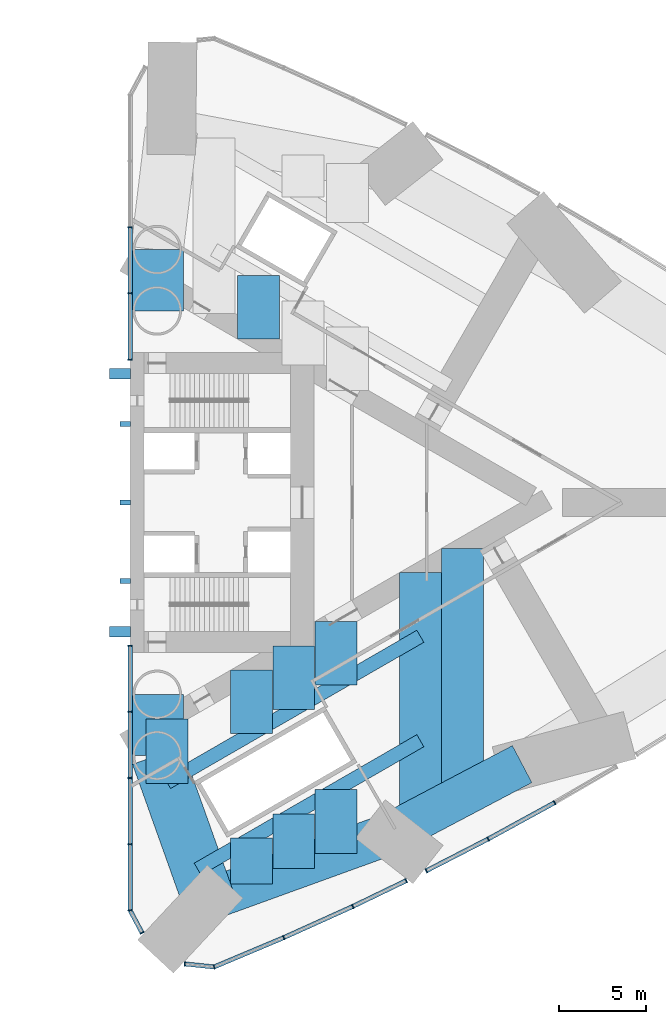
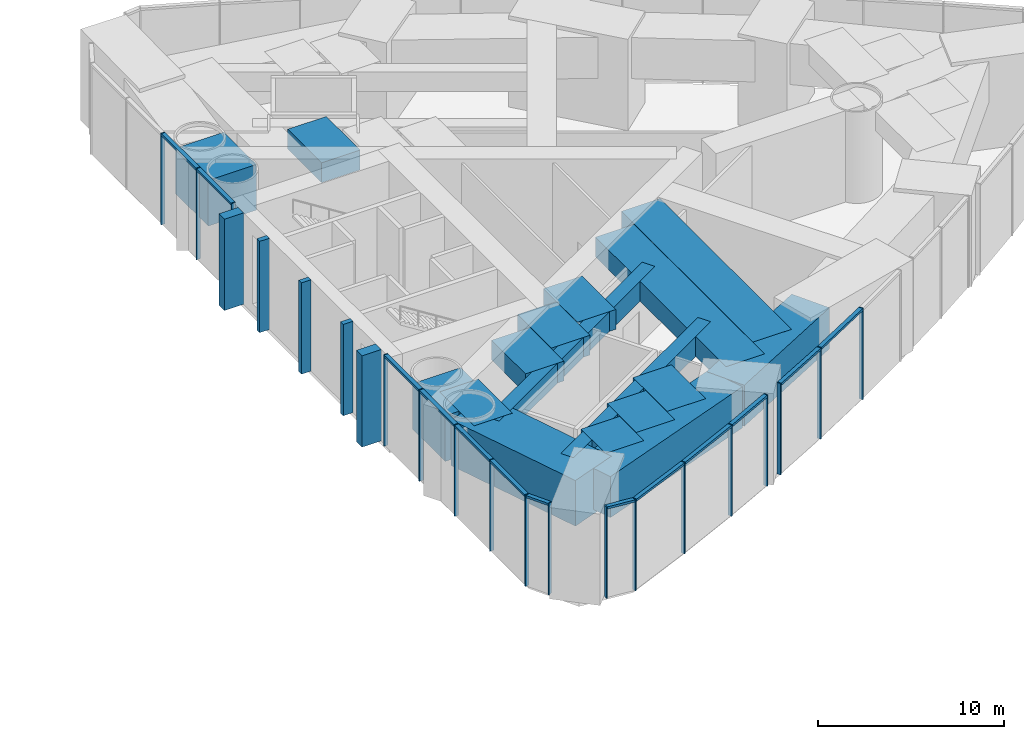
# One storey, part 7 of 18: 35 members, 17 beams, 4 elements without a shape of their own.
"""IFC4 building model written with IfcOpenShell, lengths in metres."""

from ifc_helpers import new_model, si_unit, direction, frame, origin, origin_2d, place, context, subcontext, project, spatial, rectangle, hollow_rectangle, extrude, material, material_profile, profile_set, type_object, element, aggregate, save


model = new_model("IFC4")

# Units and contexts
model_context = context("Model", 3, precision=1e-05, world=origin(), true_north=direction((0.0, 1.0)))
body_context = subcontext(model_context, "Body", "Model", "MODEL_VIEW")
ifc_project = project(units=[si_unit("LENGTHUNIT", "METRE"), si_unit("AREAUNIT", "SQUARE_METRE"), si_unit("VOLUMEUNIT", "CUBIC_METRE"), si_unit("PLANEANGLEUNIT", "RADIAN"), si_unit("MASSUNIT", "GRAM", prefix="KILO")], contexts=[model_context])

# Site, building, storey
site_placement = place(None, origin())
site = spatial("IfcSite", under=ifc_project, at=site_placement, CompositionType="ELEMENT")
building_placement = place(site_placement, origin())
building = spatial("IfcBuilding", under=site, at=building_placement, Name="Lancet Gate Hotel", CompositionType="ELEMENT")
storey_placement = place(building_placement, frame((0.0, 0.0, 81.0)))
storey = spatial("IfcBuildingStorey", under=building, at=storey_placement, Name="L21", CompositionType="ELEMENT", Elevation=81.0)

# Curtain wall, members
ifc_material_1 = material(Name="Aluminium curtain wall", Category="aluminium")
curtain_wall_type = type_object("IfcCurtainWallType", Name="Refuge storey louvred curtain wall", PredefinedType="USERDEFINED", material=ifc_material_1)
curtain_wall_1_placement = place(storey_placement, origin())
curtain_wall_1 = element("IfcCurtainWall", 1, at=curtain_wall_1_placement, inside=storey, type_object=curtain_wall_type, Name="T2 L21 curtain wall 1", ObjectType="LANTERN GLAZING", PredefinedType="USERDEFINED")
ifc_material_2 = material(Name="Aluminium mullion", Category="aluminium")
ifc_material_profile_1 = material_profile(ifc_material_2, rectangle(XDim=0.06494140625, YDim=0.25, at=origin_2d()), Name="MULLION 65x250")
ifc_profile_set_1 = profile_set([ifc_material_profile_1], Name="Aluminium mullion")
member_type_1 = type_object("IfcMemberType", Name="Aluminium mullion 65x250", PredefinedType="MULLION", material=ifc_profile_set_1)
member_1_placement = place(storey_placement, frame((27.5, -8.199951171875, 0.0), z_axis=(0.0, 0.0, 1.0), x_axis=(0.0, -1.0, 0.0)))
member_1 = element("IfcMember", 2, at=member_1_placement, type_object=member_type_1, Name="T2 L21 curtain wall 1 mullion 1", PredefinedType="MULLION", context=body_context, shape_type="SweptSolid", body=[
    extrude(rectangle(XDim=0.06494140625, YDim=0.25, at=origin_2d()), origin(), (0.0, 0.0, 1.0), 6.0),
])
member_2_placement = place(storey_placement, frame((27.5, -11.99609375, 0.0), z_axis=(0.0, 0.0, 1.0), x_axis=(0.0, -1.0, 0.0)))
member_2 = element("IfcMember", 3, at=member_2_placement, type_object=member_type_1, Name="T2 L21 curtain wall 1 mullion 2", PredefinedType="MULLION", context=body_context, shape_type="SweptSolid", body=[
    extrude(rectangle(XDim=0.06494140625, YDim=0.25, at=origin_2d()), origin(), (0.0, 0.0, 1.0), 6.0),
])
member_3_placement = place(storey_placement, frame((27.5, -15.79248046875, 0.0), z_axis=(0.0, 0.0, 1.0), x_axis=(0.0, -1.0, 0.0)))
member_3 = element("IfcMember", 4, at=member_3_placement, type_object=member_type_1, Name="T2 L21 curtain wall 1 mullion 3", PredefinedType="MULLION", context=body_context, shape_type="SweptSolid", body=[
    extrude(rectangle(XDim=0.06494140625, YDim=0.25, at=origin_2d()), origin(), (0.0, 0.0, 1.0), 6.0),
])
member_4_placement = place(storey_placement, frame((27.5, -19.588623046875, 0.0), z_axis=(0.0, 0.0, 1.0), x_axis=(0.0, -1.0, 0.0)))
member_4 = element("IfcMember", 5, at=member_4_placement, type_object=member_type_1, Name="T2 L21 curtain wall 1 mullion 4", PredefinedType="MULLION", context=body_context, shape_type="SweptSolid", body=[
    extrude(rectangle(XDim=0.06494140625, YDim=0.25, at=origin_2d()), origin(), (0.0, 0.0, 1.0), 6.0),
])
member_5_placement = place(storey_placement, frame((27.5, -23.384765625, 0.0), z_axis=(0.0, 0.0, 1.0), x_axis=(0.133367224339, -0.99106668972, 0.0)))
member_5 = element("IfcMember", 6, at=member_5_placement, type_object=member_type_1, Name="T2 L21 curtain wall 1 mullion 5", PredefinedType="MULLION", context=body_context, shape_type="SweptSolid", body=[
    extrude(rectangle(XDim=0.06494140625, YDim=0.25, at=origin_2d()), origin(), (0.0, 0.0, 1.0), 6.0),
])
member_6_placement = place(storey_placement, frame((28.18359375, -24.669189453125, 0.0), z_axis=(0.0, 0.0, 1.0), x_axis=(0.469897827284, -0.882720811987, 0.0)))
member_6 = element("IfcMember", 7, at=member_6_placement, type_object=member_type_1, Name="T2 L21 curtain wall 1 mullion 6", PredefinedType="MULLION", context=body_context, shape_type="SweptSolid", body=[
    extrude(rectangle(XDim=0.06494140625, YDim=0.25, at=origin_2d()), origin(), (0.0, 0.0, 1.0), 6.0),
])

curtain_wall_2_placement = place(storey_placement, origin())
curtain_wall_2 = element("IfcCurtainWall", 8, at=curtain_wall_2_placement, inside=storey, type_object=curtain_wall_type, Name="T2 L21 curtain wall 2", ObjectType="LANTERN GLAZING", PredefinedType="USERDEFINED")
member_7_placement = place(storey_placement, frame((30.638671875, -26.453369140625, 0.0), z_axis=(0.0, 0.0, 1.0), x_axis=(0.994672262412, -0.10308778001, 0.0)))
member_7 = element("IfcMember", 9, at=member_7_placement, type_object=member_type_1, Name="T2 L21 curtain wall 2 mullion 1", PredefinedType="MULLION", context=body_context, shape_type="SweptSolid", body=[
    extrude(rectangle(XDim=0.06494140625, YDim=0.25, at=origin_2d()), origin(), (0.0, 0.0, 1.0), 6.0),
])
member_8_placement = place(storey_placement, frame((32.3173828125, -26.62744140625, 0.0), z_axis=(0.0, 0.0, 1.0), x_axis=(0.966401213255, 0.257038314302, 0.0)))
member_8 = element("IfcMember", 10, at=member_8_placement, type_object=member_type_1, Name="T2 L21 curtain wall 2 mullion 2", PredefinedType="MULLION", context=body_context, shape_type="SweptSolid", body=[
    extrude(rectangle(XDim=0.06494140625, YDim=0.25, at=origin_2d()), origin(), (0.0, 0.0, 1.0), 6.0),
])
member_9_placement = place(storey_placement, frame((36.31494140625, -24.943603515625, 0.0), z_axis=(0.0, 0.0, 1.0), x_axis=(0.916578705089, 0.399854320193, 0.0)))
member_9 = element("IfcMember", 11, at=member_9_placement, type_object=member_type_1, Name="T2 L21 curtain wall 2 mullion 3", PredefinedType="MULLION", context=body_context, shape_type="SweptSolid", body=[
    extrude(rectangle(XDim=0.06494140625, YDim=0.25, at=origin_2d()), origin(), (0.0, 0.0, 1.0), 6.0),
])
member_10_placement = place(storey_placement, frame((40.2685546875, -23.15869140625, 0.0), z_axis=(0.0, 0.0, 1.0), x_axis=(0.906755286651, 0.421657266189, 0.0)))
member_10 = element("IfcMember", 12, at=member_10_placement, type_object=member_type_1, Name="T2 L21 curtain wall 2 mullion 4", PredefinedType="MULLION", context=body_context, shape_type="SweptSolid", body=[
    extrude(rectangle(XDim=0.06494140625, YDim=0.25, at=origin_2d()), origin(), (0.0, 0.0, 1.0), 6.0),
])
member_11_placement = place(storey_placement, frame((43.33203125, -21.6806640625, 0.0), z_axis=(0.0, 0.0, 1.0), x_axis=(0.90064748964, 0.434550456686, 0.0)))
member_11 = element("IfcMember", 13, at=member_11_placement, type_object=member_type_1, Name="T2 L21 curtain wall 2 mullion 5", PredefinedType="MULLION", context=body_context, shape_type="SweptSolid", body=[
    extrude(rectangle(XDim=0.06494140625, YDim=0.25, at=origin_2d()), origin(), (0.0, 0.0, 1.0), 6.0),
])

curtain_wall_3_placement = place(storey_placement, origin())
curtain_wall_3 = element("IfcCurtainWall", 14, at=curtain_wall_3_placement, inside=storey, type_object=curtain_wall_type, Name="T2 L21 curtain wall 3", ObjectType="LANTERN GLAZING", PredefinedType="USERDEFINED")
member_12_placement = place(storey_placement, frame((44.487548828125, -21.11328125, 0.0), z_axis=(0.0, 0.0, 1.0), x_axis=(0.889295829671, 0.457332403541, 0.0)))
member_12 = element("IfcMember", 15, at=member_12_placement, type_object=member_type_1, Name="T2 L21 curtain wall 3 mullion 1", PredefinedType="MULLION", context=body_context, shape_type="SweptSolid", body=[
    extrude(rectangle(XDim=0.06494140625, YDim=0.25, at=origin_2d()), origin(), (0.0, 0.0, 1.0), 6.0),
])
member_13_placement = place(storey_placement, frame((48.03271484375, -19.2900390625, 0.0), z_axis=(0.0, 0.0, 1.0), x_axis=(0.883151786909, 0.469087327988, 0.0)))
member_13 = element("IfcMember", 16, at=member_13_placement, type_object=member_type_1, Name="T2 L21 curtain wall 3 mullion 2", PredefinedType="MULLION", context=body_context, shape_type="SweptSolid", body=[
    extrude(rectangle(XDim=0.06494140625, YDim=0.25, at=origin_2d()), origin(), (0.0, 0.0, 1.0), 6.0),
])
member_14_placement = place(storey_placement, frame((51.838623046875, -17.208740234375, 0.0), z_axis=(0.0, 0.0, 1.0), x_axis=(0.871354741698, 0.490653558146, 0.0)))
member_14 = element("IfcMember", 17, at=member_14_placement, type_object=member_type_1, Name="T2 L21 curtain wall 3 mullion 3", PredefinedType="MULLION", context=body_context, shape_type="SweptSolid", body=[
    extrude(rectangle(XDim=0.06494140625, YDim=0.25, at=origin_2d()), origin(), (0.0, 0.0, 1.0), 6.0),
])

curtain_wall_4_placement = place(storey_placement, origin())
curtain_wall_4 = element("IfcCurtainWall", 18, at=curtain_wall_4_placement, inside=storey, type_object=curtain_wall_type, Name="T2 L21 curtain wall 10", ObjectType="LANTERN GLAZING", PredefinedType="USERDEFINED")
member_15_placement = place(storey_placement, frame((27.5, 15.79248046875, 0.0), z_axis=(0.0, 0.0, 1.0), x_axis=(0.0, -1.0, 0.0)))
member_15 = element("IfcMember", 19, at=member_15_placement, type_object=member_type_1, Name="T2 L21 curtain wall 10 mullion 4", PredefinedType="MULLION", context=body_context, shape_type="SweptSolid", body=[
    extrude(rectangle(XDim=0.06494140625, YDim=0.25, at=origin_2d()), origin(), (0.0, 0.0, 1.0), 6.0),
])
member_16_placement = place(storey_placement, frame((27.5, 11.99609375, 0.0), z_axis=(0.0, 0.0, 1.0), x_axis=(0.0, -1.0, 0.0)))
member_16 = element("IfcMember", 20, at=member_16_placement, type_object=member_type_1, Name="T2 L21 curtain wall 10 mullion 5", PredefinedType="MULLION", context=body_context, shape_type="SweptSolid", body=[
    extrude(rectangle(XDim=0.06494140625, YDim=0.25, at=origin_2d()), origin(), (0.0, 0.0, 1.0), 6.0),
])
member_17_placement = place(storey_placement, frame((27.5, 8.199951171875, 0.0), z_axis=(0.0, 0.0, 1.0), x_axis=(0.0, -1.0, 0.0)))
member_17 = element("IfcMember", 21, at=member_17_placement, type_object=member_type_1, Name="T2 L21 curtain wall 10 mullion 6", PredefinedType="MULLION", context=body_context, shape_type="SweptSolid", body=[
    extrude(rectangle(XDim=0.06494140625, YDim=0.25, at=origin_2d()), origin(), (0.0, 0.0, 1.0), 6.0),
])

# Member
ifc_material_3 = material(Name="Aluminium transom", Category="aluminium")
ifc_material_profile_2 = material_profile(ifc_material_3, rectangle(XDim=0.25, YDim=0.14990234375, at=origin_2d()), Name="TRANSOM 250x150")
ifc_profile_set_2 = profile_set([ifc_material_profile_2], Name="Aluminium transom")
member_type_2 = type_object("IfcMemberType", Name="Aluminium transom 250x150", PredefinedType="USERDEFINED", material=ifc_profile_set_2)
member_18_placement = place(storey_placement, frame((27.5, -8.232421875, 5.925048828125), z_axis=(0.0, -1.0, 0.0), x_axis=(1.0, 0.0, 0.0)))
member_18 = element("IfcMember", 22, at=member_18_placement, type_object=member_type_2, Name="T2 L21 curtain wall 1 transom 1", ObjectType="TRANSOM", PredefinedType="USERDEFINED", context=body_context, shape_type="SweptSolid", body=[
    extrude(rectangle(XDim=0.25, YDim=0.14990234375, at=origin_2d()), origin(), (0.0, 0.0, 1.0), 3.731201171875),
])

member_19_placement = place(storey_placement, frame((27.5, -12.02880859375, 5.925048828125), z_axis=(0.0, -1.0, 0.0), x_axis=(1.0, 0.0, 0.0)))
member_19 = element("IfcMember", 23, at=member_19_placement, type_object=member_type_2, Name="T2 L21 curtain wall 1 transom 2", ObjectType="TRANSOM", PredefinedType="USERDEFINED", context=body_context, shape_type="SweptSolid", body=[
    extrude(rectangle(XDim=0.25, YDim=0.14990234375, at=origin_2d()), origin(), (0.0, 0.0, 1.0), 3.731201171875),
])

member_20_placement = place(storey_placement, frame((27.5, -15.824951171875, 5.925048828125), z_axis=(0.0, -1.0, 0.0), x_axis=(1.0, 0.0, 0.0)))
member_20 = element("IfcMember", 24, at=member_20_placement, type_object=member_type_2, Name="T2 L21 curtain wall 1 transom 3", ObjectType="TRANSOM", PredefinedType="USERDEFINED", context=body_context, shape_type="SweptSolid", body=[
    extrude(rectangle(XDim=0.25, YDim=0.14990234375, at=origin_2d()), origin(), (0.0, 0.0, 1.0), 3.731201171875),
])

member_21_placement = place(storey_placement, frame((27.5, -19.62109375, 5.925048828125), z_axis=(0.0, -1.0, 0.0), x_axis=(1.0, 0.0, 0.0)))
member_21 = element("IfcMember", 25, at=member_21_placement, type_object=member_type_2, Name="T2 L21 curtain wall 1 transom 4", ObjectType="TRANSOM", PredefinedType="USERDEFINED", context=body_context, shape_type="SweptSolid", body=[
    extrude(rectangle(XDim=0.25, YDim=0.14990234375, at=origin_2d()), origin(), (0.0, 0.0, 1.0), 3.731201171875),
])

member_22_placement = place(storey_placement, frame((27.515380859375, -23.41357421875, 5.925048828125), z_axis=(0.469904276347, -0.882717378933, 0.0), x_axis=(0.882717378933, 0.469904276347, 0.0)))
member_22 = element("IfcMember", 26, at=member_22_placement, type_object=member_type_2, Name="T2 L21 curtain wall 1 transom 5", ObjectType="TRANSOM", PredefinedType="USERDEFINED", context=body_context, shape_type="SweptSolid", body=[
    extrude(rectangle(XDim=0.25, YDim=0.14990234375, at=origin_2d()), origin(), (0.0, 0.0, 1.0), 1.389892578125),
])

aggregate(curtain_wall_1, [member_1, member_2, member_3, member_4, member_5, member_6, member_18, member_19, member_20, member_21, member_22])

member_23_placement = place(storey_placement, frame((30.671142578125, -26.456787109375, 5.925048828125), z_axis=(0.994674787412, -0.103063413913, 0.0), x_axis=(0.103063413913, 0.994674787412, 0.0)))
member_23 = element("IfcMember", 27, at=member_23_placement, type_object=member_type_2, Name="T2 L21 curtain wall 2 transom 1", ObjectType="TRANSOM", PredefinedType="USERDEFINED", context=body_context, shape_type="SweptSolid", body=[
    extrude(rectangle(XDim=0.25, YDim=0.14990234375, at=origin_2d()), origin(), (0.0, 0.0, 1.0), 1.62255859375),
])

member_24_placement = place(storey_placement, frame((32.347412109375, -26.61474609375, 5.925048828125), z_axis=(0.92159772617, 0.388146404233, 0.0), x_axis=(-0.388146404233, 0.92159772617, 0.0)))
member_24 = element("IfcMember", 28, at=member_24_placement, type_object=member_type_2, Name="T2 L21 curtain wall 2 transom 2", ObjectType="TRANSOM", PredefinedType="USERDEFINED", context=body_context, shape_type="SweptSolid", body=[
    extrude(rectangle(XDim=0.25, YDim=0.14990234375, at=origin_2d()), origin(), (0.0, 0.0, 1.0), 4.272705078125),
])

member_25_placement = place(storey_placement, frame((36.3447265625, -24.930419921875, 5.925048828125), z_axis=(0.911396871737, 0.411528543589, 0.0), x_axis=(-0.411528543589, 0.911396871737, 0.0)))
member_25 = element("IfcMember", 29, at=member_25_placement, type_object=member_type_2, Name="T2 L21 curtain wall 2 transom 3", ObjectType="TRANSOM", PredefinedType="USERDEFINED", context=body_context, shape_type="SweptSolid", body=[
    extrude(rectangle(XDim=0.25, YDim=0.14990234375, at=origin_2d()), origin(), (0.0, 0.0, 1.0), 4.272705078125),
])

member_26_placement = place(storey_placement, frame((40.2978515625, -23.14453125, 5.925048828125), z_axis=(0.900660279687, 0.43452394709, 0.0), x_axis=(-0.43452394709, 0.900660279687, 0.0)))
member_26 = element("IfcMember", 30, at=member_26_placement, type_object=member_type_2, Name="T2 L21 curtain wall 2 transom 4", ObjectType="TRANSOM", PredefinedType="USERDEFINED", context=body_context, shape_type="SweptSolid", body=[
    extrude(rectangle(XDim=0.25, YDim=0.14990234375, at=origin_2d()), origin(), (0.0, 0.0, 1.0), 3.33642578125),
])

aggregate(curtain_wall_2, [member_7, member_8, member_9, member_10, member_11, member_23, member_24, member_25, member_26])

member_27_placement = place(storey_placement, frame((44.516357421875, -21.098388671875, 5.925048828125), z_axis=(0.889302270264, 0.457319879409, 0.0), x_axis=(-0.457319879409, 0.889302270264, 0.0)))
member_27 = element("IfcMember", 31, at=member_27_placement, type_object=member_type_2, Name="T2 L21 curtain wall 3 transom 1", ObjectType="TRANSOM", PredefinedType="USERDEFINED", context=body_context, shape_type="SweptSolid", body=[
    extrude(rectangle(XDim=0.25, YDim=0.14990234375, at=origin_2d()), origin(), (0.0, 0.0, 1.0), 3.921630859375),
])

member_28_placement = place(storey_placement, frame((48.061279296875, -19.2744140625, 5.925048828125), z_axis=(0.877377528879, 0.479800658417, 0.0), x_axis=(-0.479800658417, 0.877377528879, 0.0)))
member_28 = element("IfcMember", 32, at=member_28_placement, type_object=member_type_2, Name="T2 L21 curtain wall 3 transom 2", ObjectType="TRANSOM", PredefinedType="USERDEFINED", context=body_context, shape_type="SweptSolid", body=[
    extrude(rectangle(XDim=0.25, YDim=0.14990234375, at=origin_2d()), origin(), (0.0, 0.0, 1.0), 4.272705078125),
])

aggregate(curtain_wall_3, [member_12, member_13, member_14, member_27, member_28])

member_29_placement = place(storey_placement, frame((27.5, 15.760009765625, 5.925048828125), z_axis=(0.0, -1.0, 0.0), x_axis=(1.0, 0.0, 0.0)))
member_29 = element("IfcMember", 33, at=member_29_placement, type_object=member_type_2, Name="T2 L21 curtain wall 10 transom 4", ObjectType="TRANSOM", PredefinedType="USERDEFINED", context=body_context, shape_type="SweptSolid", body=[
    extrude(rectangle(XDim=0.25, YDim=0.14990234375, at=origin_2d()), origin(), (0.0, 0.0, 1.0), 3.731201171875),
])

member_30_placement = place(storey_placement, frame((27.5, 11.963623046875, 5.925048828125), z_axis=(0.0, -1.0, 0.0), x_axis=(1.0, 0.0, 0.0)))
member_30 = element("IfcMember", 34, at=member_30_placement, type_object=member_type_2, Name="T2 L21 curtain wall 10 transom 5", ObjectType="TRANSOM", PredefinedType="USERDEFINED", context=body_context, shape_type="SweptSolid", body=[
    extrude(rectangle(XDim=0.25, YDim=0.14990234375, at=origin_2d()), origin(), (0.0, 0.0, 1.0), 3.731201171875),
])

aggregate(curtain_wall_4, [member_15, member_16, member_17, member_29, member_30])

# Members
ifc_material_4 = material(Name="Concrete C60/75", Category="concrete")
ifc_material_profile_3 = material_profile(ifc_material_4, rectangle(XDim=0.60009765625, YDim=1.199951171875, at=origin_2d()), Name="FIN 600x1200")
ifc_profile_set_3 = profile_set([ifc_material_profile_3], Name="Concrete C60/75")
member_type_3 = type_object("IfcMemberType", Name="Exposed concrete buttress pilaster 600x1200", PredefinedType="USERDEFINED", material=ifc_profile_set_3)
for number, where, z_axis, x_axis, name in (
    (35, (26.909912109375, -7.39990234375, 0.0), (0.0, 0.0, 1.0), (0.0, 1.0, 0.0), "T2 buttress pilaster S L21"),
    (36, (26.909912109375, 7.39990234375, 0.0), (0.0, 0.0, 1.0), (0.0, 1.0, 0.0), "T2 buttress pilaster N L21"),
):
    element("IfcMember", number, at=place(storey_placement, frame(where, z_axis=z_axis, x_axis=x_axis)), inside=storey, type_object=member_type_3, Name=name, ObjectType="FIN", PredefinedType="USERDEFINED", context=body_context, shape_type="SweptSolid", body=[
        extrude(rectangle(XDim=0.60009765625, YDim=1.199951171875, at=origin_2d()), origin(), (0.0, 0.0, 1.0), 6.0),
    ])
ifc_material_5 = material(Name="Concrete C60/75", Category="concrete")
ifc_material_profile_4 = material_profile(ifc_material_5, rectangle(XDim=0.300048828125, YDim=0.60009765625, at=origin_2d()), Name="FIN 300x600")
ifc_profile_set_4 = profile_set([ifc_material_profile_4], Name="Concrete C60/75")
member_type_4 = type_object("IfcMemberType", Name="Exposed concrete rib 300x600", PredefinedType="USERDEFINED", material=ifc_profile_set_4)
for number, where, z_axis, x_axis, name in (
    (37, (27.2099609375, -4.5, 0.0), (0.0, 0.0, 1.0), (0.0, 1.0, 0.0), "T2 core rib 1 L21"),
    (38, (27.2099609375, 0.0, 0.0), (0.0, 0.0, 1.0), (0.0, 1.0, 0.0), "T2 core rib 2 L21"),
    (39, (27.2099609375, 4.5, 0.0), (0.0, 0.0, 1.0), (0.0, 1.0, 0.0), "T2 core rib 3 L21"),
):
    element("IfcMember", number, at=place(storey_placement, frame(where, z_axis=z_axis, x_axis=x_axis)), inside=storey, type_object=member_type_4, Name=name, ObjectType="FIN", PredefinedType="USERDEFINED", context=body_context, shape_type="SweptSolid", body=[
        extrude(rectangle(XDim=0.300048828125, YDim=0.60009765625, at=origin_2d()), origin(), (0.0, 0.0, 1.0), 6.0),
    ])

# Beams
ifc_material_6 = material(Name="Concrete C50/60", Category="concrete")
ifc_material_profile_5 = material_profile(ifc_material_6, rectangle(XDim=2.39990234375, YDim=1.300048828125, at=origin_2d()), Name="RC 2400x1300")
ifc_profile_set_5 = profile_set([ifc_material_profile_5], Name="Concrete C50/60")
beam_type_1 = type_object("IfcBeamType", Name="Floor beam RC 2400x1300", PredefinedType="BEAM", material=ifc_profile_set_5)
beam_1_placement = place(storey_placement, frame((29.6201171875, -16.099365234375, 5.10009765625), z_axis=(0.0, 1.0, 0.0), x_axis=(-1.0, 0.0, 0.0)))
element("IfcBeam", 40, at=beam_1_placement, inside=storey, type_object=beam_type_1, Name="T2 floor beam F01S L21", PredefinedType="BEAM", context=body_context, shape_type="SweptSolid", body=[
    extrude(rectangle(XDim=2.39990234375, YDim=1.300048828125, at=origin_2d()), origin(), (0.0, 0.0, 1.0), 3.69677734375),
])
beam_2_placement = place(storey_placement, frame((44.1416015625, -18.0712890625, 5.10009765625), z_axis=(0.0, 1.0, 0.0), x_axis=(-1.0, 0.0, 0.0)))
element("IfcBeam", 41, at=beam_2_placement, inside=storey, type_object=beam_type_1, Name="T2 floor beam F09S L21", PredefinedType="BEAM", context=body_context, shape_type="SweptSolid", body=[
    extrude(rectangle(XDim=2.39990234375, YDim=1.300048828125, at=origin_2d()), origin(), (0.0, 0.0, 1.0), 14.052490234375),
])
beam_3_placement = place(storey_placement, frame((46.561767578125, -16.795654296875, 5.10009765625), z_axis=(0.0, 1.0, 0.0), x_axis=(-1.0, 0.0, 0.0)))
element("IfcBeam", 42, at=beam_3_placement, inside=storey, type_object=beam_type_1, Name="T2 floor beam F10S L21", PredefinedType="BEAM", context=body_context, shape_type="SweptSolid", body=[
    extrude(rectangle(XDim=2.39990234375, YDim=1.300048828125, at=origin_2d()), origin(), (0.0, 0.0, 1.0), 14.17431640625),
])
beam_4_placement = place(storey_placement, frame((34.460693359375, -21.87060546875, 5.10009765625), z_axis=(0.0, 1.0, 0.0), x_axis=(-1.0, 0.0, 0.0)))
element("IfcBeam", 43, at=beam_4_placement, inside=storey, type_object=beam_type_1, Name="T2 floor beam F03SA L21", PredefinedType="BEAM", context=body_context, shape_type="SweptSolid", body=[
    extrude(rectangle(XDim=2.39990234375, YDim=1.300048828125, at=origin_2d()), origin(), (0.0, 0.0, 1.0), 2.62939453125),
])
for number, where, z_axis, x_axis, name in (
    (44, (34.460693359375, -13.253662109375, 5.10009765625), (0.0, 1.0, 0.0), (-1.0, 0.0, 0.0), "T2 floor beam F03SB L21"),
    (45, (34.859619140625, 9.377685546875, 5.10009765625), (0.0, 1.0, 0.0), (-1.0, 0.0, 0.0), "T2 floor beam F04NA L21"),
):
    element("IfcBeam", number, at=place(storey_placement, frame(where, z_axis=z_axis, x_axis=x_axis)), inside=storey, type_object=beam_type_1, Name=name, PredefinedType="BEAM", context=body_context, shape_type="SweptSolid", body=[
        extrude(rectangle(XDim=2.39990234375, YDim=1.300048828125, at=origin_2d()), origin(), (0.0, 0.0, 1.0), 3.645751953125),
    ])
beam_5_placement = place(storey_placement, frame((36.880859375, -20.993896484375, 5.10009765625), z_axis=(0.0, 1.0, 0.0), x_axis=(-1.0, 0.0, 0.0)))
element("IfcBeam", 46, at=beam_5_placement, inside=storey, type_object=beam_type_1, Name="T2 floor beam F05SA L21", PredefinedType="BEAM", context=body_context, shape_type="SweptSolid", body=[
    extrude(rectangle(XDim=2.39990234375, YDim=1.300048828125, at=origin_2d()), origin(), (0.0, 0.0, 1.0), 3.150146484375),
])
beam_6_placement = place(storey_placement, frame((36.880859375, -11.8564453125, 5.10009765625), z_axis=(0.0, 1.0, 0.0), x_axis=(-1.0, 0.0, 0.0)))
element("IfcBeam", 47, at=beam_6_placement, inside=storey, type_object=beam_type_1, Name="T2 floor beam F05SB L21", PredefinedType="BEAM", context=body_context, shape_type="SweptSolid", body=[
    extrude(rectangle(XDim=2.39990234375, YDim=1.300048828125, at=origin_2d()), origin(), (0.0, 0.0, 1.0), 3.645751953125),
])
beam_7_placement = place(storey_placement, frame((39.301025390625, -20.1171875, 5.10009765625), z_axis=(0.0, 1.0, 0.0), x_axis=(-1.0, 0.0, 0.0)))
element("IfcBeam", 48, at=beam_7_placement, inside=storey, type_object=beam_type_1, Name="T2 floor beam F07SA L21", PredefinedType="BEAM", context=body_context, shape_type="SweptSolid", body=[
    extrude(rectangle(XDim=2.39990234375, YDim=1.300048828125, at=origin_2d()), origin(), (0.0, 0.0, 1.0), 3.670654296875),
])
beam_8_placement = place(storey_placement, frame((39.301025390625, -10.458984375, 5.10009765625), z_axis=(0.0, 1.0, 0.0), x_axis=(-1.0, 0.0, 0.0)))
element("IfcBeam", 49, at=beam_8_placement, inside=storey, type_object=beam_type_1, Name="T2 floor beam F07SB L21", PredefinedType="BEAM", context=body_context, shape_type="SweptSolid", body=[
    extrude(rectangle(XDim=2.39990234375, YDim=1.300048828125, at=origin_2d()), origin(), (0.0, 0.0, 1.0), 3.6455078125),
])
ifc_material_7 = material(Name="Concrete C50/60", Category="concrete")
ifc_material_profile_6 = material_profile(ifc_material_7, rectangle(XDim=2.39990234375, YDim=2.699951171875, at=origin_2d()), Name="RC 2400x2700")
ifc_profile_set_6 = profile_set([ifc_material_profile_6], Name="Concrete C50/60")
beam_type_2 = type_object("IfcBeamType", Name="Tie ring beam RC 2400x2700", PredefinedType="SPANDREL", material=ifc_profile_set_6)
beam_9_placement = place(storey_placement, frame((31.99609375, -22.76318359375, 4.39990234375), z_axis=(0.940225039526, 0.340553777029, 0.0), x_axis=(-0.340553777029, 0.940225039526, 0.0)))
element("IfcBeam", 50, at=beam_9_placement, inside=storey, type_object=beam_type_2, Name="T2 tie ring beam RG3 L21", PredefinedType="SPANDREL", context=body_context, shape_type="SweptSolid", body=[
    extrude(rectangle(XDim=2.39990234375, YDim=2.699951171875, at=origin_2d()), origin(), (0.0, 0.0, 1.0), 11.029296875),
])
beam_10_placement = place(storey_placement, frame((42.3662109375, -19.007080078125, 4.39990234375), z_axis=(0.884632510133, 0.466288882578, 0.0), x_axis=(-0.466288882578, 0.884632510133, 0.0)))
element("IfcBeam", 51, at=beam_10_placement, inside=storey, type_object=beam_type_2, Name="T2 tie ring beam RG3 L21", PredefinedType="SPANDREL", context=body_context, shape_type="SweptSolid", body=[
    extrude(rectangle(XDim=2.39990234375, YDim=2.699951171875, at=origin_2d()), origin(), (0.0, 0.0, 1.0), 8.605712890625),
])
ifc_material_8 = material(Name="Concrete C50/60", Category="concrete")
ifc_material_profile_7 = material_profile(ifc_material_8, rectangle(XDim=3.0, YDim=3.0, at=origin_2d()), Name="RC 3000x3000")
ifc_profile_set_7 = profile_set([ifc_material_profile_7], Name="Concrete C50/60")
beam_type_3 = type_object("IfcBeamType", Name="Tie ring beam RC 3000x3000", PredefinedType="SPANDREL", material=ifc_profile_set_7)
beam_11_placement = place(storey_placement, frame((31.99609375, -22.76318359375, 4.25), z_axis=(-0.335821559388, 0.941925623523, 0.0), x_axis=(-0.941925623523, -0.335821559388, 0.0)))
element("IfcBeam", 52, at=beam_11_placement, inside=storey, type_object=beam_type_3, Name="T2 tie ring beam RG4 L21", PredefinedType="SPANDREL", context=body_context, shape_type="SweptSolid", body=[
    extrude(rectangle(XDim=3.0, YDim=3.0, at=origin_2d()), origin(), (0.0, 0.0, 1.0), 8.772705078125),
])
for number, where, z_axis, x_axis, name in (
    (53, (29.050048828125, -14.5, 4.25), (0.0, 1.0, 0.0), (-1.0, 0.0, 0.0), "T2 tie ring beam RG4 L21"),
    (54, (29.050048828125, 11.0, 4.25), (0.0, 1.0, 0.0), (-1.0, 0.0, 0.0), "T2 tie ring beam RG4 L21"),
):
    element("IfcBeam", number, at=place(storey_placement, frame(where, z_axis=z_axis, x_axis=x_axis)), inside=storey, type_object=beam_type_3, Name=name, PredefinedType="SPANDREL", context=body_context, shape_type="SweptSolid", body=[
        extrude(rectangle(XDim=3.0, YDim=3.0, at=origin_2d()), origin(), (0.0, 0.0, 1.0), 3.5),
    ])
ifc_material_9 = material(Name="Steel S460QL", Category="steel")
ifc_material_profile_8 = material_profile(ifc_material_9, hollow_rectangle(XDim=0.800048828125, YDim=1.300048828125, WallThickness=0.080078125, at=origin_2d()), Name="BOX 1300x800x80")
ifc_profile_set_8 = profile_set([ifc_material_profile_8], Name="Steel S460QL")
beam_type_4 = type_object("IfcBeamType", Name="Trimmer beam BOX 1300x800x80", PredefinedType="BEAM", material=ifc_profile_set_8)
beam_12_placement = place(storey_placement, frame((29.6201171875, -16.048095703125, 5.10009765625), z_axis=(0.866036714307, 0.499980409089, 0.0), x_axis=(-0.499980409089, 0.866036714307, 0.0)))
element("IfcBeam", 55, at=beam_12_placement, inside=storey, type_object=beam_type_4, Name="T2 trimmer beam TR01S L21", PredefinedType="BEAM", context=body_context, shape_type="SweptSolid", body=[
    extrude(hollow_rectangle(XDim=0.800048828125, YDim=1.300048828125, WallThickness=0.080078125, at=origin_2d()), origin(), (0.0, 0.0, 1.0), 16.767822265625),
])
beam_13_placement = place(storey_placement, frame((31.375244140625, -21.0224609375, 5.10009765625), z_axis=(0.86603417384, 0.49998480951, 0.0), x_axis=(-0.49998480951, 0.86603417384, 0.0)))
element("IfcBeam", 56, at=beam_13_placement, inside=storey, type_object=beam_type_4, Name="T2 trimmer beam TR02S L21", PredefinedType="BEAM", context=body_context, shape_type="SweptSolid", body=[
    extrude(hollow_rectangle(XDim=0.800048828125, YDim=1.300048828125, WallThickness=0.080078125, at=origin_2d()), origin(), (0.0, 0.0, 1.0), 14.7412109375),
])

save(model, "model.ifc")
